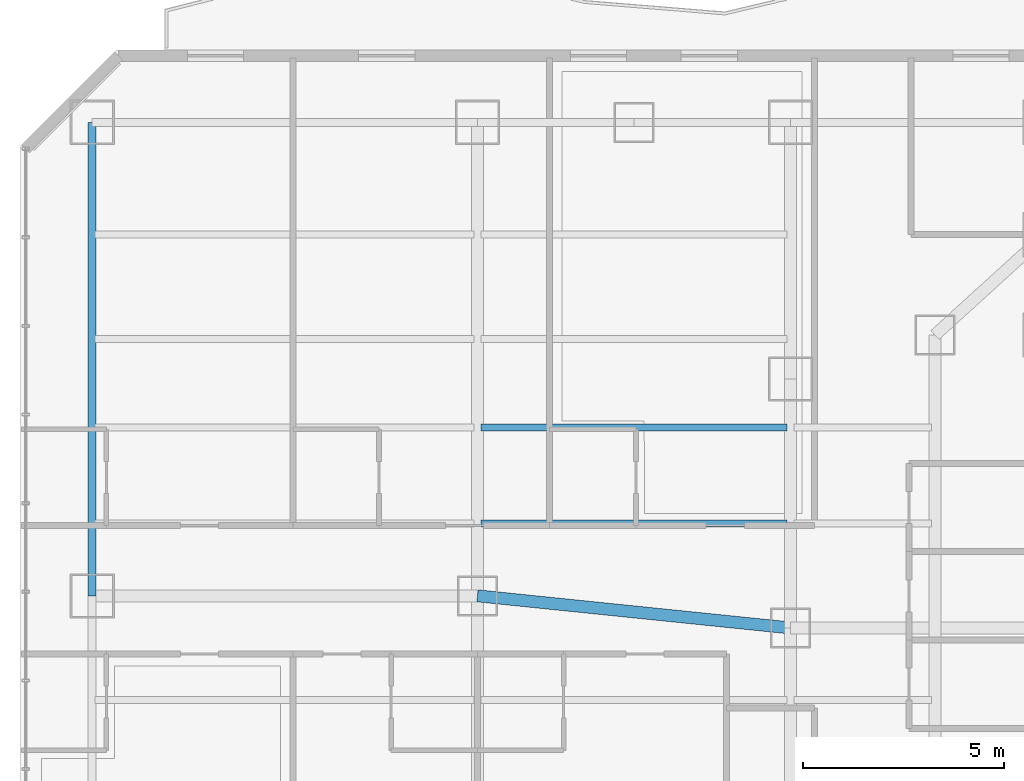
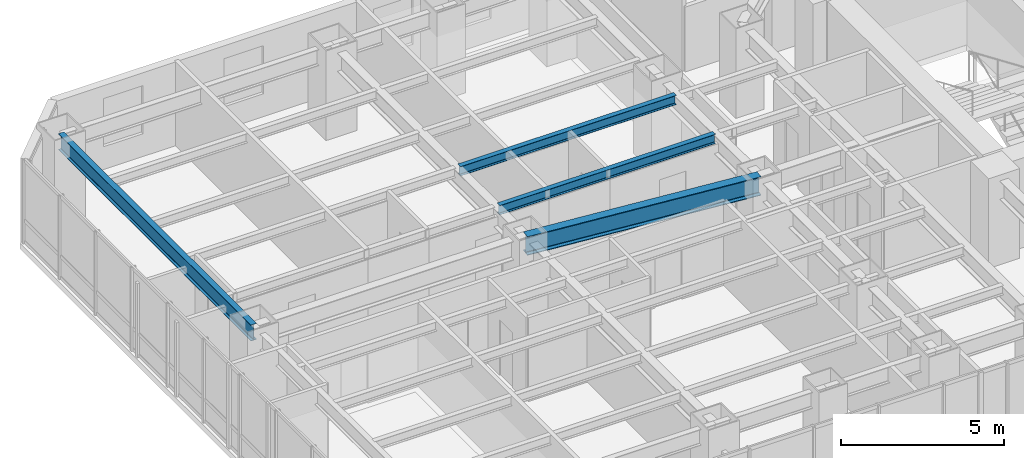
# One storey, part 21 of 38: 4 beams.
"""IFC4 building model written with IfcOpenShell, lengths in metres."""

from ifc_helpers import new_model, si_unit, direction, frame, origin, origin_2d, place, context, subcontext, project, spatial, i_section, extrude, material, material_profile, profile_set, type_object, element, save


model = new_model("IFC4")

# Units and contexts
model_context = context("Model", 3, precision=1e-05, world=origin(), true_north=direction((0.0, 1.0)))
body_context = subcontext(model_context, "Body", "Model", "MODEL_VIEW")
ifc_project = project(units=[si_unit("LENGTHUNIT", "METRE"), si_unit("AREAUNIT", "SQUARE_METRE"), si_unit("VOLUMEUNIT", "CUBIC_METRE"), si_unit("PLANEANGLEUNIT", "RADIAN"), si_unit("MASSUNIT", "GRAM", prefix="KILO")], contexts=[model_context])

# Site, building, storey
site_placement = place(None, origin())
site = spatial("IfcSite", under=ifc_project, at=site_placement, CompositionType="ELEMENT")
building_placement = place(site_placement, origin())
building = spatial("IfcBuilding", under=site, at=building_placement, Name="Hatsunagi Terrace Concourse", CompositionType="ELEMENT")
storey_placement = place(building_placement, frame((0.0, 0.0, 63.39990234375)))
storey = spatial("IfcBuildingStorey", under=building, at=storey_placement, Name="L16", CompositionType="ELEMENT", Elevation=63.39990234375)

# Beams
ifc_material_1 = material(Name="Steel SN490B", Category="steel")
ifc_material_profile_1 = material_profile(ifc_material_1, i_section(OverallWidth=0.300048828125, OverallDepth=0.699951171875, WebThickness=0.012939453125, FlangeThickness=0.02392578125, FilletRadius=0.02197265625, at=origin_2d()), Name="H-700x300x13x24")
ifc_profile_set_1 = profile_set([ifc_material_profile_1], Name="Steel SN490B")
beam_type_1 = type_object("IfcBeamType", Name="HotelFloorGirder_H_700x300", PredefinedType="BEAM", material=ifc_profile_set_1)
beam_1_placement = place(storey_placement, frame((11.39990234375, 36.800048828125, 2.780029296875), z_axis=(0.994780871372, -0.102034395927, 0.0), x_axis=(0.102034395927, 0.994780871372, 0.0)))
element("IfcBeam", 1, at=beam_1_placement, inside=storey, type_object=beam_type_1, Name="Beam G-04 BM-L16-EW-2", PredefinedType="BEAM", context=body_context, shape_type="SweptSolid", body=[
    extrude(i_section(OverallWidth=0.300048828125, OverallDepth=0.699951171875, WebThickness=0.012939453125, FlangeThickness=0.02392578125, FilletRadius=0.02197265625, at=origin_2d()), origin(), (0.0, 0.0, 1.0), 7.841064453125),
])
ifc_material_2 = material(Name="Steel SN490B", Category="steel")
ifc_material_profile_2 = material_profile(ifc_material_2, i_section(OverallWidth=0.175048828125, OverallDepth=0.35009765625, WebThickness=0.007080078125, FlangeThickness=0.010986328125, FilletRadius=0.012939453125, at=origin_2d()), Name="H-350x175x7x11")
ifc_profile_set_2 = profile_set([ifc_material_profile_2], Name="Steel SN490B")
beam_type_2 = type_object("IfcBeamType", Name="HotelJoist_H_350x175", PredefinedType="JOIST", material=ifc_profile_set_2)
for number, where, z_axis, x_axis, name in (
    (2, (11.485107421875, 38.60009765625, 2.955078125), (1.0, 0.0, 0.0), (0.0, 1.0, 0.0), "Beam J-02 J-L16-W-11-386"),
    (3, (11.485107421875, 41.0, 2.955078125), (1.0, 0.0, 0.0), (0.0, 1.0, 0.0), "Beam J-02 J-L16-W-11-410"),
):
    element("IfcBeam", number, at=place(storey_placement, frame(where, z_axis=z_axis, x_axis=x_axis)), inside=storey, type_object=beam_type_2, Name=name, PredefinedType="JOIST", context=body_context, shape_type="SweptSolid", body=[
        extrude(i_section(OverallWidth=0.175048828125, OverallDepth=0.35009765625, WebThickness=0.007080078125, FlangeThickness=0.010986328125, FilletRadius=0.012939453125, at=origin_2d()), origin(), (0.0, 0.0, 1.0), 7.6298828125),
    ])
ifc_material_3 = material(Name="Steel SN490B", Category="steel")
ifc_material_profile_3 = material_profile(ifc_material_3, i_section(OverallWidth=0.199951171875, OverallDepth=0.60009765625, WebThickness=0.010986328125, FlangeThickness=0.01708984375, FilletRadius=0.01806640625, at=origin_2d()), Name="H-600x200x11x17")
ifc_profile_set_3 = profile_set([ifc_material_profile_3], Name="Steel SN490B")
beam_type_3 = type_object("IfcBeamType", Name="PerimeterSpandrel_H_600x200", PredefinedType="SPANDREL", material=ifc_profile_set_3)
beam_2_placement = place(storey_placement, frame((1.800048828125, 36.800048828125, 2.830078125), z_axis=(0.0, 1.0, 0.0), x_axis=(-1.0, 0.0, 0.0)))
element("IfcBeam", 4, at=beam_2_placement, inside=storey, type_object=beam_type_3, Name="Beam SP-01 BM-L16-NS-1-36", PredefinedType="SPANDREL", context=body_context, shape_type="SweptSolid", body=[
    extrude(i_section(OverallWidth=0.199951171875, OverallDepth=0.60009765625, WebThickness=0.010986328125, FlangeThickness=0.01708984375, FilletRadius=0.01806640625, at=origin_2d()), origin(), (0.0, 0.0, 1.0), 11.800048828125),
])

save(model, "model.ifc")
